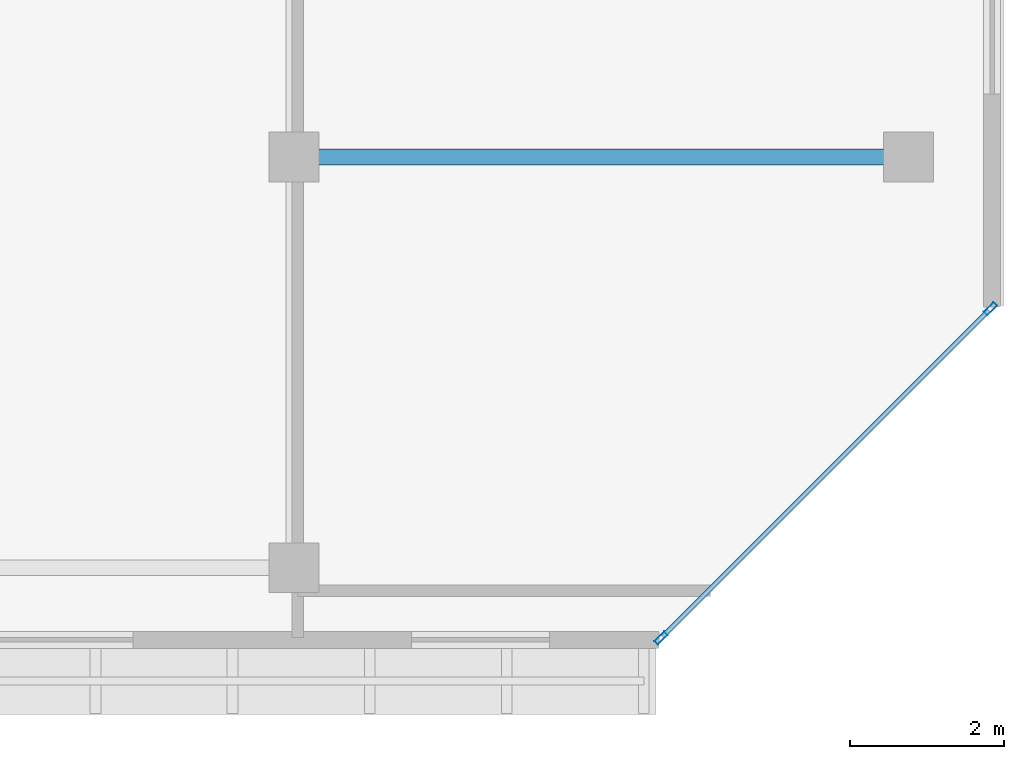
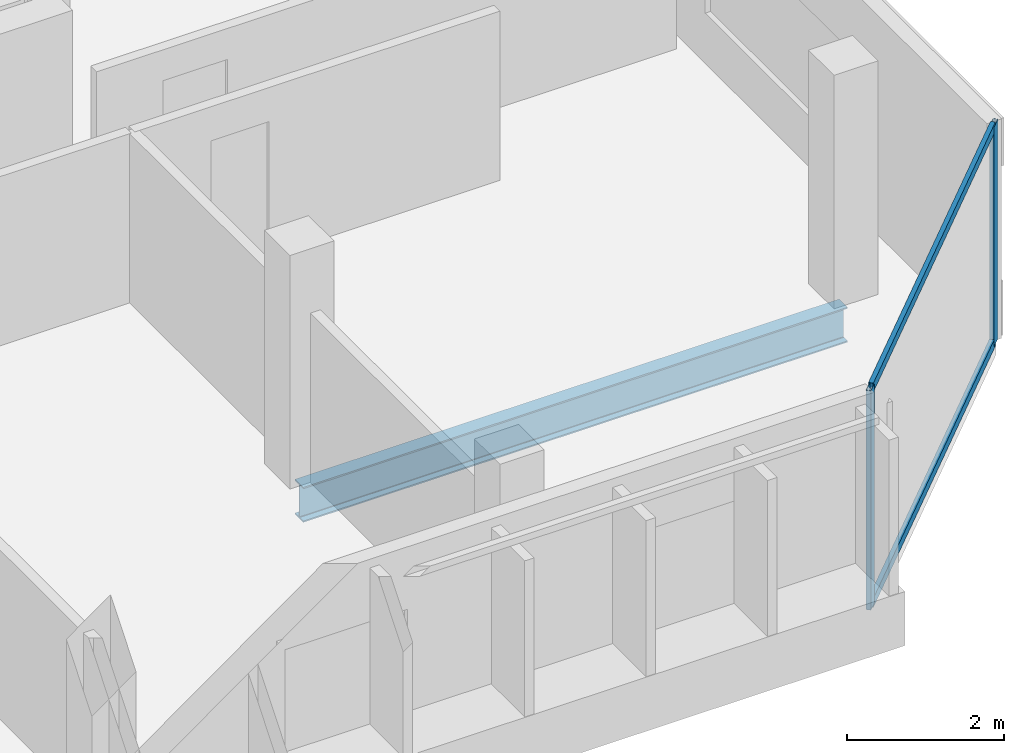
# One storey, part 16 of 28: 4 members, 1 beam, 1 element without a shape of its own.
"""IFC4 building model written with IfcOpenShell, lengths in metres."""

from ifc_helpers import new_model, si_unit, direction, frame, origin, origin_2d, place, context, subcontext, project, spatial, hollow_rectangle, i_section, extrude, material, layer, layer_set, material_profile, profile_set, type_object, element, aggregate, save


model = new_model("IFC4")

# Units and contexts
model_context = context("Model", 3, precision=1e-05, world=origin(), true_north=direction((0.0, 1.0)))
body_context = subcontext(model_context, "Body", "Model", "MODEL_VIEW")
ifc_project = project(units=[si_unit("LENGTHUNIT", "METRE"), si_unit("AREAUNIT", "SQUARE_METRE"), si_unit("VOLUMEUNIT", "CUBIC_METRE"), si_unit("PLANEANGLEUNIT", "RADIAN"), si_unit("MASSUNIT", "GRAM", prefix="KILO")], contexts=[model_context])

# Site, building, storey
site_placement = place(None, origin())
site = spatial("IfcSite", under=ifc_project, at=site_placement, CompositionType="ELEMENT")
building_placement = place(site_placement, origin())
building = spatial("IfcBuilding", under=site, at=building_placement, Name="Tanjung Sevakor Pilgrim Tower", CompositionType="ELEMENT")
storey_placement = place(building_placement, frame((0.0, 0.0, 242.550048828125)))
storey = spatial("IfcBuildingStorey", under=building, at=storey_placement, Name="L68", CompositionType="ELEMENT", Elevation=242.550048828125)

# Beam
ifc_material_1 = material(Name="Steel S355J2", Category="steel")
ifc_material_profile_1 = material_profile(ifc_material_1, i_section(OverallWidth=0.2119140625, OverallDepth=0.54443359375, WebThickness=0.0126953125, FlangeThickness=0.021240234375, FilletRadius=0.0126953125, at=origin_2d()))
ifc_profile_set_1 = profile_set([ifc_material_profile_1], Name="Steel S355J2")
beam_type = type_object("IfcBeamType", Name="BM-B-G5-UB_533x210x122", PredefinedType="BEAM", material=ifc_profile_set_1)
beam_placement = place(storey_placement, frame((90.0, 18.60009765625, -0.492431640625), z_axis=(1.0, 0.0, 0.0), x_axis=(0.0, 1.0, 0.0)))
element("IfcBeam", 1, at=beam_placement, inside=storey, type_object=beam_type, Name="L68 East Peak Wing Girder Y18.6", PredefinedType="BEAM", context=body_context, shape_type="SweptSolid", body=[
    extrude(i_section(OverallWidth=0.2119140625, OverallDepth=0.54443359375, WebThickness=0.0126953125, FlangeThickness=0.021240234375, FilletRadius=0.0126953125, at=origin_2d()), origin(), (0.0, 0.0, 1.0), 8.0),
])

# Curtain wall, members
ifc_material_2 = material(Name="Aluminium 6063-T6 and Low-E Glass", Category="aluminium")
ifc_layer = layer(ifc_material_2, 0.179931640625)
ifc_layer_set = layer_set([ifc_layer], Name="CW-SYS-CHAM")
curtain_wall_type = type_object("IfcCurtainWallType", Name="CW-SYS-CHAM", PredefinedType="NOTDEFINED", material=ifc_layer_set)
curtain_wall_placement = place(storey_placement, origin())
curtain_wall = element("IfcCurtainWall", 2, at=curtain_wall_placement, inside=storey, type_object=curtain_wall_type, Name="L68 Curtain Wall CW-CHM-L68-EAST-1", PredefinedType="NOTDEFINED")
ifc_material_3 = material(Name="Aluminium 6063-T6", Category="aluminium")
ifc_material_profile_2 = material_profile(ifc_material_3, hollow_rectangle(XDim=0.06494140625, YDim=0.179931640625, WallThickness=0.00390625, at=origin_2d()))
ifc_profile_set_2 = profile_set([ifc_material_profile_2], Name="Aluminium 6063-T6")
member_type_1 = type_object("IfcMemberType", Name="TYPE-CWM-1", PredefinedType="MULLION", material=ifc_profile_set_2)
member_1_placement = place(storey_placement, frame((94.77734375, 12.3330078125, 0.0), z_axis=(0.0, 0.0, 1.0), x_axis=(-0.707106781187, 0.707106781187, 0.0)))
member_1 = element("IfcMember", 3, at=member_1_placement, type_object=member_type_1, Name="CW-CHM mullion 1", PredefinedType="MULLION", context=body_context, shape_type="SweptSolid", body=[
    extrude(hollow_rectangle(XDim=0.06494140625, YDim=0.179931640625, WallThickness=0.00390625, at=origin_2d()), origin(), (0.0, 0.0, 1.0), 3.409912109375),
])
member_2_placement = place(storey_placement, frame((99.067138671875, 16.62255859375, 0.0), z_axis=(0.0, 0.0, 1.0), x_axis=(-0.707106781187, 0.707106781187, 0.0)))
member_2 = element("IfcMember", 4, at=member_2_placement, type_object=member_type_1, Name="CW-CHM mullion 2", PredefinedType="MULLION", context=body_context, shape_type="SweptSolid", body=[
    extrude(hollow_rectangle(XDim=0.06494140625, YDim=0.179931640625, WallThickness=0.00390625, at=origin_2d()), origin(), (0.0, 0.0, 1.0), 3.409912109375),
])
ifc_material_4 = material(Name="Aluminium 6063-T6", Category="aluminium")
ifc_material_profile_3 = material_profile(ifc_material_4, hollow_rectangle(XDim=0.06494140625, YDim=0.139892578125, WallThickness=0.00390625, at=origin_2d()))
ifc_profile_set_3 = profile_set([ifc_material_profile_3], Name="Aluminium 6063-T6")
member_type_2 = type_object("IfcMemberType", Name="TYPE-CWT-1", PredefinedType="USERDEFINED", material=ifc_profile_set_3)
member_3_placement = place(storey_placement, frame((94.80029296875, 12.35595703125, 0.032470703125), z_axis=(0.707106781187, 0.707106781187, 0.0), x_axis=(-0.707106781187, 0.707106781187, 0.0)))
member_3 = element("IfcMember", 5, at=member_3_placement, type_object=member_type_2, Name="CW-CHM transom 1.1", ObjectType="TRANSOM", PredefinedType="USERDEFINED", context=body_context, shape_type="SweptSolid", body=[
    extrude(hollow_rectangle(XDim=0.06494140625, YDim=0.139892578125, WallThickness=0.00390625, at=origin_2d()), origin(), (0.0, 0.0, 1.0), 6.00146484375),
])
member_4_placement = place(storey_placement, frame((94.80029296875, 12.35595703125, 3.37744140625), z_axis=(0.707106781187, 0.707106781187, 0.0), x_axis=(-0.707106781187, 0.707106781187, 0.0)))
member_4 = element("IfcMember", 6, at=member_4_placement, type_object=member_type_2, Name="CW-CHM transom 1.2", ObjectType="TRANSOM", PredefinedType="USERDEFINED", context=body_context, shape_type="SweptSolid", body=[
    extrude(hollow_rectangle(XDim=0.06494140625, YDim=0.139892578125, WallThickness=0.00390625, at=origin_2d()), origin(), (0.0, 0.0, 1.0), 6.00146484375),
])
aggregate(curtain_wall, [member_1, member_2, member_3, member_4])

save(model, "model.ifc")
